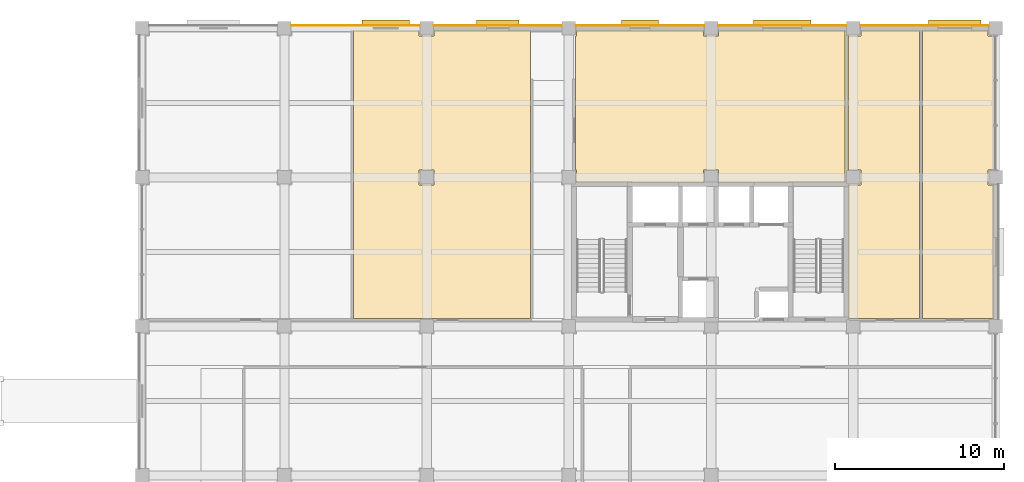
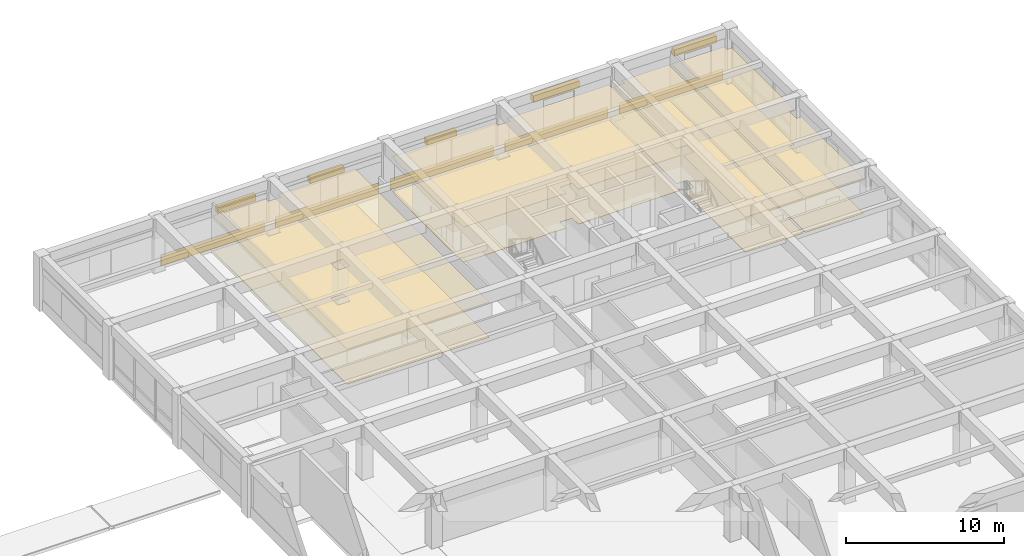
# One storey, part 46 of 46: 13 coverings, 5 shading devices.
"""IFC4 building model written with IfcOpenShell, lengths in metres."""

from ifc_helpers import new_model, si_unit, direction, frame, origin, origin_2d, place, context, subcontext, project, spatial, polyline, rectangle, outline, extrude, material, layer, layer_set, type_object, element, save


model = new_model("IFC4")

# Units and contexts
model_context = context("Model", 3, precision=1e-05, world=origin(), true_north=direction((0.0, 1.0)))
body_context = subcontext(model_context, "Body", "Model", "MODEL_VIEW")
ifc_project = project(units=[si_unit("LENGTHUNIT", "METRE"), si_unit("AREAUNIT", "SQUARE_METRE"), si_unit("VOLUMEUNIT", "CUBIC_METRE"), si_unit("PLANEANGLEUNIT", "RADIAN"), si_unit("MASSUNIT", "GRAM", prefix="KILO")], contexts=[model_context])

# Site, building, storey
site_placement = place(None, origin())
site = spatial("IfcSite", under=ifc_project, at=site_placement, CompositionType="ELEMENT")
building_placement = place(site_placement, origin())
building = spatial("IfcBuilding", under=site, at=building_placement, Name="Kemercrest Conservatory and Botanical Centre", CompositionType="ELEMENT")
storey_placement = place(building_placement, frame((0.0, 0.0, 9.0)))
storey = spatial("IfcBuildingStorey", under=building, at=storey_placement, Name="L02", CompositionType="ELEMENT", Elevation=9.0)

# Coverings
ifc_material_1 = material(Name="Honed limestone almasik ashlar rainscreen", Category="masonry")
ifc_layer_1 = layer(ifc_material_1, 0.0400390625)
ifc_layer_set_1 = layer_set([ifc_layer_1], Name="Honed limestone almasik ashlar rainscreen")
covering_type_1 = type_object("IfcCoveringType", Name="CV-CLD040", PredefinedType="CLADDING", material=ifc_layer_set_1)
covering_1_placement = place(storey_placement, origin())
element("IfcCovering", 1, at=covering_1_placement, inside=storey, type_object=covering_type_1, Name="Exterior stone spandrel cladding (WAL:L02:EXT-198)", PredefinedType="CLADDING", context=body_context, shape_type="SweptSolid", body=[
    extrude(outline(polyline([(175.590087890625, 122.550048828125), (175.590087890625, 122.590087890625), (168.010009765625, 122.590087890625), (168.010009765625, 122.550048828125), (175.590087890625, 122.550048828125)])), origin(), (0.0, 0.0, 1.0), 0.85009765625),
])
covering_2_placement = place(storey_placement, origin())
element("IfcCovering", 2, at=covering_2_placement, inside=storey, type_object=covering_type_1, Name="Exterior stone spandrel cladding (WAL:L02:EXT-199)", PredefinedType="CLADDING", context=body_context, shape_type="SweptSolid", body=[
    extrude(outline(polyline([(167.18994140625, 122.550048828125), (167.18994140625, 122.590087890625), (159.610107421875, 122.590087890625), (159.610107421875, 122.550048828125), (167.18994140625, 122.550048828125)])), origin(), (0.0, 0.0, 1.0), 0.85009765625),
])
covering_3_placement = place(storey_placement, origin())
element("IfcCovering", 3, at=covering_3_placement, inside=storey, type_object=covering_type_1, Name="Exterior stone spandrel cladding (WAL:L02:EXT-200)", PredefinedType="CLADDING", context=body_context, shape_type="SweptSolid", body=[
    extrude(outline(polyline([(158.7900390625, 122.550048828125), (158.7900390625, 122.590087890625), (151.2099609375, 122.590087890625), (151.2099609375, 122.550048828125), (158.7900390625, 122.550048828125)])), origin(), (0.0, 0.0, 1.0), 0.85009765625),
])
covering_4_placement = place(storey_placement, origin())
element("IfcCovering", 4, at=covering_4_placement, inside=storey, type_object=covering_type_1, Name="Exterior stone spandrel cladding (WAL:L02:EXT-201)", PredefinedType="CLADDING", context=body_context, shape_type="SweptSolid", body=[
    extrude(outline(polyline([(150.389892578125, 122.550048828125), (150.389892578125, 122.590087890625), (142.81005859375, 122.590087890625), (142.81005859375, 122.550048828125), (150.389892578125, 122.550048828125)])), origin(), (0.0, 0.0, 1.0), 0.85009765625),
])
covering_5_placement = place(storey_placement, origin())
element("IfcCovering", 5, at=covering_5_placement, inside=storey, type_object=covering_type_1, Name="Exterior stone spandrel cladding (WAL:L02:EXT-202)", PredefinedType="CLADDING", context=body_context, shape_type="SweptSolid", body=[
    extrude(outline(polyline([(141.989990234375, 122.550048828125), (141.989990234375, 122.590087890625), (134.409912109375, 122.590087890625), (134.409912109375, 122.550048828125), (141.989990234375, 122.550048828125)])), origin(), (0.0, 0.0, 1.0), 0.85009765625),
])
ifc_material_2 = material(Name="Perforated acoustic gypsum and mineral-fibre suspended ceiling", Category="gypsum")
ifc_layer_2 = layer(ifc_material_2, 0.034912109375)
ifc_layer_set_2 = layer_set([ifc_layer_2], Name="Perforated acoustic gypsum and mineral-fibre suspended ceiling")
covering_type_2 = type_object("IfcCoveringType", Name="CV-CLG035", PredefinedType="CEILING", material=ifc_layer_set_2)
covering_6_placement = place(storey_placement, frame((0.0, 0.0, 2.699951171875)))
element("IfcCovering", 6, at=covering_6_placement, inside=storey, type_object=covering_type_2, Name="Taxonomic Reference Studio suspended acoustic ceiling", PredefinedType="CEILING", context=body_context, shape_type="SweptSolid", body=[
    extrude(outline(polyline([(141.9599609375, 122.320068359375), (138.080078125, 122.320068359375), (138.080078125, 105.280029296875), (148.52001953125, 105.280029296875), (148.52001953125, 122.320068359375), (142.840087890625, 122.320068359375), (142.840087890625, 121.9599609375), (141.9599609375, 121.9599609375), (141.9599609375, 122.320068359375)]), holes=[polyline([(142.840087890625, 113.159912109375), (141.9599609375, 113.159912109375), (141.9599609375, 114.0400390625), (142.840087890625, 114.0400390625), (142.840087890625, 113.159912109375)])]), origin(), (0.0, 0.0, 1.0), 0.03515625),
])
covering_7_placement = place(storey_placement, frame((0.0, 0.0, 2.699951171875)))
element("IfcCovering", 7, at=covering_7_placement, inside=storey, type_object=covering_type_2, Name="Electron Microscopy Laboratory suspended acoustic ceiling", PredefinedType="CEILING", context=body_context, shape_type="SweptSolid", body=[
    extrude(outline(polyline([(159.639892578125, 113.280029296875), (167.1201171875, 113.280029296875), (167.1201171875, 122.320068359375), (159.639892578125, 122.320068359375), (159.639892578125, 121.9599609375), (158.760009765625, 121.9599609375), (158.760009765625, 122.320068359375), (151.239990234375, 122.320068359375), (151.239990234375, 121.9599609375), (151.179931640625, 121.9599609375), (151.179931640625, 114.0400390625), (151.239990234375, 114.0400390625), (151.239990234375, 113.280029296875), (158.760009765625, 113.280029296875), (158.760009765625, 114.0400390625), (159.639892578125, 114.0400390625), (159.639892578125, 113.280029296875)])), origin(), (0.0, 0.0, 1.0), 0.03515625),
])
covering_8_placement = place(storey_placement, frame((0.0, 0.0, 2.699951171875)))
element("IfcCovering", 8, at=covering_8_placement, inside=storey, type_object=covering_type_2, Name="Staff Washroom suspended acoustic ceiling", PredefinedType="CEILING", context=body_context, shape_type="SweptSolid", body=[
    extrude(outline(polyline([(167.280029296875, 105.280029296875), (171.52001953125, 105.280029296875), (171.52001953125, 122.320068359375), (168.0400390625, 122.320068359375), (168.0400390625, 121.9599609375), (167.280029296875, 121.9599609375), (167.280029296875, 114.0400390625), (168.0400390625, 114.0400390625), (168.0400390625, 113.159912109375), (167.280029296875, 113.159912109375), (167.280029296875, 105.280029296875)])), origin(), (0.0, 0.0, 1.0), 0.03515625),
])
covering_9_placement = place(storey_placement, frame((0.0, 0.0, 2.699951171875)))
element("IfcCovering", 9, at=covering_9_placement, inside=storey, type_object=covering_type_2, Name="Accessible Washroom suspended acoustic ceiling", PredefinedType="CEILING", context=body_context, shape_type="SweptSolid", body=[
    extrude(outline(polyline([(171.679931640625, 105.280029296875), (175.919921875, 105.280029296875), (175.919921875, 113.159912109375), (175.56005859375, 113.159912109375), (175.56005859375, 114.0400390625), (175.919921875, 114.0400390625), (175.919921875, 121.9599609375), (175.56005859375, 121.9599609375), (175.56005859375, 122.320068359375), (171.679931640625, 122.320068359375), (171.679931640625, 105.280029296875)])), origin(), (0.0, 0.0, 1.0), 0.03515625),
])
ifc_material_3 = material(Name="Polished limestone terrazzo and seamless laboratory epoxy flooring", Category="masonry")
ifc_layer_3 = layer(ifc_material_3, 0.02001953125)
ifc_layer_set_3 = layer_set([ifc_layer_3], Name="Polished limestone terrazzo and seamless laboratory epoxy flooring")
covering_type_3 = type_object("IfcCoveringType", Name="CV-FLR020", PredefinedType="FLOORING", material=ifc_layer_set_3)
covering_10_placement = place(storey_placement, origin())
element("IfcCovering", 10, at=covering_10_placement, inside=storey, type_object=covering_type_3, Name="Taxonomic Reference Studio floor finish", PredefinedType="FLOORING", context=body_context, shape_type="SweptSolid", body=[
    extrude(outline(polyline([(141.9599609375, 122.320068359375), (138.080078125, 122.320068359375), (138.080078125, 105.280029296875), (148.52001953125, 105.280029296875), (148.52001953125, 122.320068359375), (142.840087890625, 122.320068359375), (142.840087890625, 121.9599609375), (141.9599609375, 121.9599609375), (141.9599609375, 122.320068359375)]), holes=[polyline([(142.840087890625, 113.159912109375), (141.9599609375, 113.159912109375), (141.9599609375, 114.0400390625), (142.840087890625, 114.0400390625), (142.840087890625, 113.159912109375)])]), origin(), (0.0, 0.0, 1.0), 0.02001953125),
])
covering_11_placement = place(storey_placement, origin())
element("IfcCovering", 11, at=covering_11_placement, inside=storey, type_object=covering_type_3, Name="Electron Microscopy Laboratory floor finish", PredefinedType="FLOORING", context=body_context, shape_type="SweptSolid", body=[
    extrude(outline(polyline([(159.639892578125, 113.280029296875), (167.1201171875, 113.280029296875), (167.1201171875, 122.320068359375), (159.639892578125, 122.320068359375), (159.639892578125, 121.9599609375), (158.760009765625, 121.9599609375), (158.760009765625, 122.320068359375), (151.239990234375, 122.320068359375), (151.239990234375, 121.9599609375), (151.179931640625, 121.9599609375), (151.179931640625, 114.0400390625), (151.239990234375, 114.0400390625), (151.239990234375, 113.280029296875), (158.760009765625, 113.280029296875), (158.760009765625, 114.0400390625), (159.639892578125, 114.0400390625), (159.639892578125, 113.280029296875)])), origin(), (0.0, 0.0, 1.0), 0.02001953125),
])
covering_12_placement = place(storey_placement, origin())
element("IfcCovering", 12, at=covering_12_placement, inside=storey, type_object=covering_type_3, Name="Staff Washroom floor finish", PredefinedType="FLOORING", context=body_context, shape_type="SweptSolid", body=[
    extrude(outline(polyline([(167.280029296875, 105.280029296875), (171.52001953125, 105.280029296875), (171.52001953125, 122.320068359375), (168.0400390625, 122.320068359375), (168.0400390625, 121.9599609375), (167.280029296875, 121.9599609375), (167.280029296875, 114.0400390625), (168.0400390625, 114.0400390625), (168.0400390625, 113.159912109375), (167.280029296875, 113.159912109375), (167.280029296875, 105.280029296875)])), origin(), (0.0, 0.0, 1.0), 0.02001953125),
])
covering_13_placement = place(storey_placement, origin())
element("IfcCovering", 13, at=covering_13_placement, inside=storey, type_object=covering_type_3, Name="Accessible Washroom floor finish", PredefinedType="FLOORING", context=body_context, shape_type="SweptSolid", body=[
    extrude(outline(polyline([(171.679931640625, 105.280029296875), (175.919921875, 105.280029296875), (175.919921875, 113.159912109375), (175.56005859375, 113.159912109375), (175.56005859375, 114.0400390625), (175.919921875, 114.0400390625), (175.919921875, 121.9599609375), (175.56005859375, 121.9599609375), (175.56005859375, 122.320068359375), (171.679931640625, 122.320068359375), (171.679931640625, 105.280029296875)])), origin(), (0.0, 0.0, 1.0), 0.02001953125),
])

# Shading devices
ifc_material_4 = material(Name="Architectural bronze-anodized extruded aluminium", Category="aluminium")
shading_device_type_1 = type_object("IfcShadingDeviceType", Name="SH-JL01", PredefinedType="JALOUSIE", material=ifc_material_4)
shading_device_1_placement = place(storey_placement, frame((155.0, 122.722900390625, 2.4951171875), z_axis=(0.0, 0.0, 1.0), x_axis=(-1.0, 0.0, 0.0)))
element("IfcShadingDevice", 14, at=shading_device_1_placement, inside=storey, type_object=shading_device_type_1, Name="Solar control louvre visor SH-JL01 (WIN:L02:EXT-200)", PredefinedType="JALOUSIE", context=body_context, shape_type="SweptSolid", body=[
    extrude(rectangle(XDim=2.199951171875, YDim=0.35009765625, at=origin_2d()), origin(), (0.0, 0.0, 1.0), 0.449951171875),
])
shading_device_type_2 = type_object("IfcShadingDeviceType", Name="SH-JL02", PredefinedType="JALOUSIE", material=ifc_material_4)
shading_device_2_placement = place(storey_placement, frame((146.60009765625, 122.722900390625, 2.53515625), z_axis=(0.0, 0.0, 1.0), x_axis=(-1.0, 0.0, 0.0)))
element("IfcShadingDevice", 15, at=shading_device_2_placement, inside=storey, type_object=shading_device_type_2, Name="Solar control louvre visor SH-JL02 (WIN:L02:EXT-201)", PredefinedType="JALOUSIE", context=body_context, shape_type="SweptSolid", body=[
    extrude(rectangle(XDim=2.5, YDim=0.35009765625, at=origin_2d()), origin(), (0.0, 0.0, 1.0), 0.449951171875),
])
shading_device_type_3 = type_object("IfcShadingDeviceType", Name="SH-JL03", PredefinedType="JALOUSIE", material=ifc_material_4)
shading_device_3_placement = place(storey_placement, frame((139.9951171875, 122.722900390625, 2.59521484375), z_axis=(0.0, 0.0, 1.0), x_axis=(-1.0, 0.0, 0.0)))
element("IfcShadingDevice", 16, at=shading_device_3_placement, inside=storey, type_object=shading_device_type_3, Name="Solar control louvre visor SH-JL03 (WIN:L02:EXT-202)", PredefinedType="JALOUSIE", context=body_context, shape_type="SweptSolid", body=[
    extrude(rectangle(XDim=2.800048828125, YDim=0.35009765625, at=origin_2d()), origin(), (0.0, 0.0, 1.0), 0.449951171875),
])
shading_device_type_4 = type_object("IfcShadingDeviceType", Name="SH-JL04", PredefinedType="JALOUSIE", material=ifc_material_4)
shading_device_4_placement = place(storey_placement, frame((173.594970703125, 122.722900390625, 3.050048828125), z_axis=(0.0, 0.0, 1.0), x_axis=(-1.0, 0.0, 0.0)))
element("IfcShadingDevice", 17, at=shading_device_4_placement, inside=storey, type_object=shading_device_type_4, Name="Solar control louvre visor SH-JL04 (WIN:L02:EXT-198)", PredefinedType="JALOUSIE", context=body_context, shape_type="SweptSolid", body=[
    extrude(rectangle(XDim=3.10009765625, YDim=0.35009765625, at=origin_2d()), origin(), (0.0, 0.0, 1.0), 0.5),
])
shading_device_type_5 = type_object("IfcShadingDeviceType", Name="SH-JL05", PredefinedType="JALOUSIE", material=ifc_material_4)
shading_device_5_placement = place(storey_placement, frame((163.39990234375, 122.722900390625, 3.090087890625), z_axis=(0.0, 0.0, 1.0), x_axis=(-1.0, 0.0, 0.0)))
element("IfcShadingDevice", 18, at=shading_device_5_placement, inside=storey, type_object=shading_device_type_5, Name="Solar control louvre visor SH-JL05 (WIN:L02:EXT-199)", PredefinedType="JALOUSIE", context=body_context, shape_type="SweptSolid", body=[
    extrude(rectangle(XDim=3.39990234375, YDim=0.35009765625, at=origin_2d()), origin(), (0.0, 0.0, 1.0), 0.5),
])

save(model, "model.ifc")
